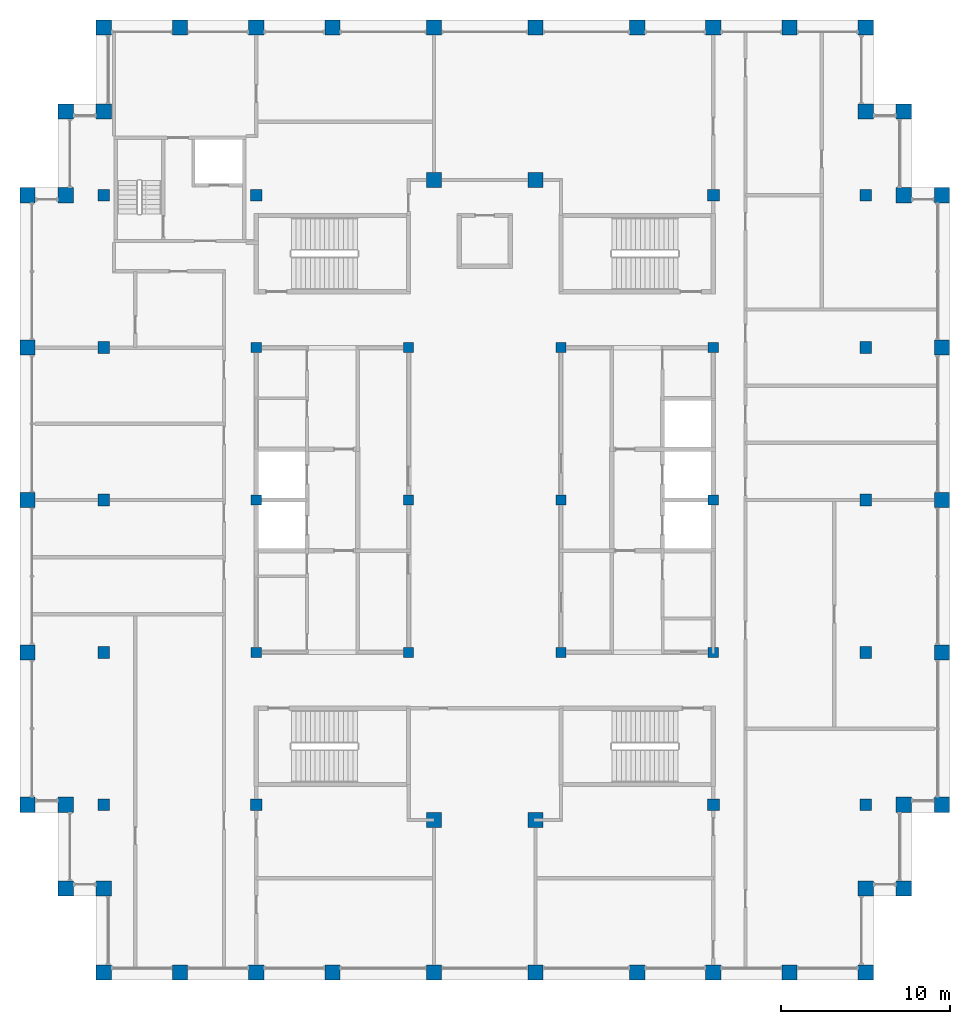
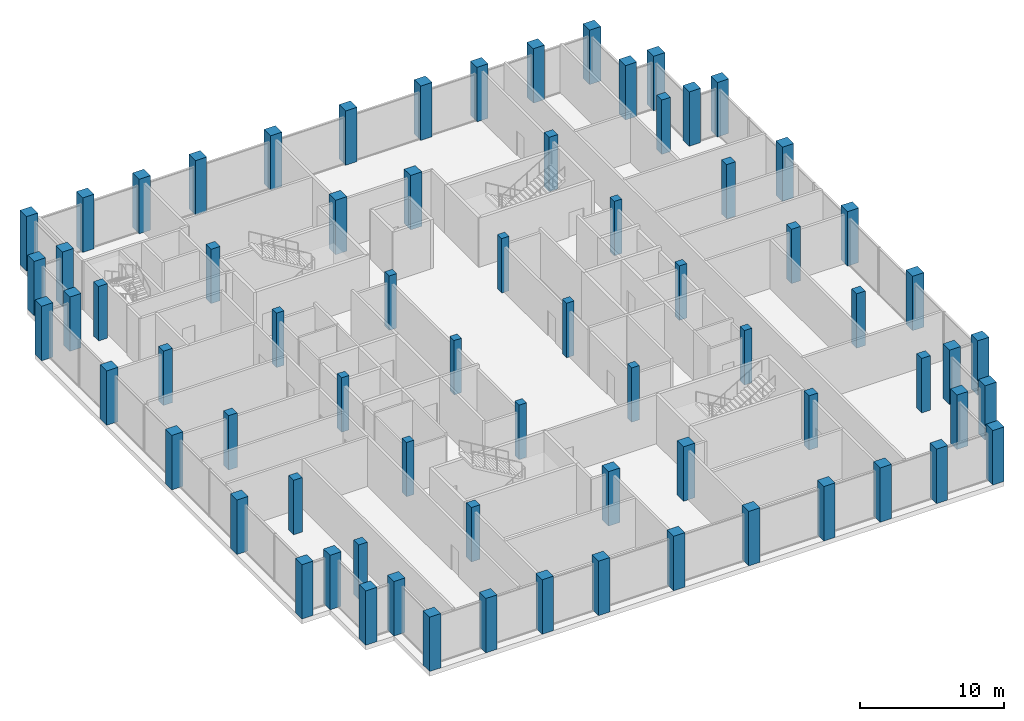
# One storey, part 1 of 12: 72 columns.
"""IFC4 building model written with IfcOpenShell, lengths in metres."""

from ifc_helpers import new_model, si_unit, direction, frame, origin, origin_2d, place, context, subcontext, project, spatial, rectangle, extrude, material, material_profile, profile_set, type_object, element, save


model = new_model("IFC4")

# Units and contexts
model_context = context("Model", 3, precision=1e-05, world=origin(), true_north=direction((0.0, 1.0)))
body_context = subcontext(model_context, "Body", "Model", "MODEL_VIEW")
ifc_project = project(units=[si_unit("LENGTHUNIT", "METRE"), si_unit("AREAUNIT", "SQUARE_METRE"), si_unit("VOLUMEUNIT", "CUBIC_METRE"), si_unit("PLANEANGLEUNIT", "RADIAN"), si_unit("MASSUNIT", "GRAM", prefix="KILO")], contexts=[model_context])

# Site, building, storey
site_placement = place(None, origin())
site = spatial("IfcSite", under=ifc_project, at=site_placement, CompositionType="ELEMENT")
building_placement = place(site_placement, origin())
building = spatial("IfcBuilding", under=site, at=building_placement, Name="Corbelhall Arena Tower", CompositionType="ELEMENT")
storey_placement = place(building_placement, frame((0.0, 0.0, 356.0)))
storey = spatial("IfcBuildingStorey", under=building, at=storey_placement, Name="L78", CompositionType="ELEMENT", Elevation=356.0)

# Columns
ifc_material = material(Name="Concrete C80/95", Category="concrete")
ifc_material_profile_1 = material_profile(ifc_material, rectangle(XDim=0.60009765625, YDim=0.60009765625, at=origin_2d()))
ifc_profile_set_1 = profile_set([ifc_material_profile_1], Name="Concrete C80/95")
column_type_1 = type_object("IfcColumnType", Name="ST-COL-RC 600x600", PredefinedType="COLUMN", material=ifc_profile_set_1)
for number, where, z_axis, x_axis, name in (
    (1, (4.5, 0.0, 0.0), (0.0, 0.0, 1.0), (1.0, 0.0, 0.0), "Column KE+0450+0000"),
    (2, (4.5, 9.0, 0.0), (0.0, 0.0, 1.0), (1.0, 0.0, 0.0), "Column KE+0450+0900"),
    (3, (4.5, -9.0, 0.0), (0.0, 0.0, 1.0), (1.0, 0.0, 0.0), "Column KE+0450-0900"),
    (4, (13.5, 0.0, 0.0), (0.0, 0.0, 1.0), (1.0, 0.0, 0.0), "Column KE+1350+0000"),
    (5, (13.5, 9.0, 0.0), (0.0, 0.0, 1.0), (1.0, 0.0, 0.0), "Column KE+1350+0900"),
    (6, (13.5, -9.0, 0.0), (0.0, 0.0, 1.0), (1.0, 0.0, 0.0), "Column KE+1350-0900"),
    (7, (-4.5, 0.0, 0.0), (0.0, 0.0, 1.0), (1.0, 0.0, 0.0), "Column KW-0450+0000"),
    (8, (-4.5, 9.0, 0.0), (0.0, 0.0, 1.0), (1.0, 0.0, 0.0), "Column KW-0450+0900"),
    (9, (-4.5, -9.0, 0.0), (0.0, 0.0, 1.0), (1.0, 0.0, 0.0), "Column KW-0450-0900"),
    (10, (-13.5, 0.0, 0.0), (0.0, 0.0, 1.0), (1.0, 0.0, 0.0), "Column KW-1350+0000"),
    (11, (-13.5, 9.0, 0.0), (0.0, 0.0, 1.0), (1.0, 0.0, 0.0), "Column KW-1350+0900"),
    (12, (-13.5, -9.0, 0.0), (0.0, 0.0, 1.0), (1.0, 0.0, 0.0), "Column KW-1350-0900"),
):
    element("IfcColumn", number, at=place(storey_placement, frame(where, z_axis=z_axis, x_axis=x_axis)), inside=storey, type_object=column_type_1, Name=name, PredefinedType="COLUMN", context=body_context, shape_type="SweptSolid", body=[
        extrude(rectangle(XDim=0.60009765625, YDim=0.60009765625, at=origin_2d()), origin(), (0.0, 0.0, 1.0), 4.599609375),
    ])
ifc_material_profile_2 = material_profile(ifc_material, rectangle(XDim=0.699951171875, YDim=0.699951171875, at=origin_2d()))
ifc_profile_set_2 = profile_set([ifc_material_profile_2], Name="Concrete C80/95")
column_type_2 = type_object("IfcColumnType", Name="ST-COL-RC 700x700", PredefinedType="COLUMN", material=ifc_profile_set_2)
for number, where, z_axis, x_axis, name in (
    (13, (13.5, 18.0, 0.0), (0.0, 0.0, 1.0), (1.0, 0.0, 0.0), "Column IE13+1800"),
    (14, (13.5, -18.0, 0.0), (0.0, 0.0, 1.0), (1.0, 0.0, 0.0), "Column IE13-1800"),
    (15, (22.5, 0.0, 0.0), (0.0, 0.0, 1.0), (1.0, 0.0, 0.0), "Column IE22+0000"),
    (16, (22.5, 9.0, 0.0), (0.0, 0.0, 1.0), (1.0, 0.0, 0.0), "Column IE22+0900"),
    (17, (22.5, 18.0, 0.0), (0.0, 0.0, 1.0), (1.0, 0.0, 0.0), "Column IE22+1800"),
    (18, (22.5, -9.0, 0.0), (0.0, 0.0, 1.0), (1.0, 0.0, 0.0), "Column IE22-0900"),
    (19, (22.5, -18.0, 0.0), (0.0, 0.0, 1.0), (1.0, 0.0, 0.0), "Column IE22-1800"),
    (20, (-13.5, 18.0, 0.0), (0.0, 0.0, 1.0), (1.0, 0.0, 0.0), "Column IW13+1800"),
    (21, (-13.5, -18.0, 0.0), (0.0, 0.0, 1.0), (1.0, 0.0, 0.0), "Column IW13-1800"),
    (22, (-22.5, 0.0, 0.0), (0.0, 0.0, 1.0), (1.0, 0.0, 0.0), "Column IW22+0000"),
    (23, (-22.5, 9.0, 0.0), (0.0, 0.0, 1.0), (1.0, 0.0, 0.0), "Column IW22+0900"),
    (24, (-22.5, 18.0, 0.0), (0.0, 0.0, 1.0), (1.0, 0.0, 0.0), "Column IW22+1800"),
    (25, (-22.5, -9.0, 0.0), (0.0, 0.0, 1.0), (1.0, 0.0, 0.0), "Column IW22-0900"),
    (26, (-22.5, -18.0, 0.0), (0.0, 0.0, 1.0), (1.0, 0.0, 0.0), "Column IW22-1800"),
):
    element("IfcColumn", number, at=place(storey_placement, frame(where, z_axis=z_axis, x_axis=x_axis)), inside=storey, type_object=column_type_2, Name=name, PredefinedType="COLUMN", context=body_context, shape_type="SweptSolid", body=[
        extrude(rectangle(XDim=0.699951171875, YDim=0.699951171875, at=origin_2d()), origin(), (0.0, 0.0, 1.0), 4.599609375),
    ])
ifc_material_profile_3 = material_profile(ifc_material, rectangle(XDim=0.89990234375, YDim=0.89990234375, at=origin_2d()))
ifc_profile_set_3 = profile_set([ifc_material_profile_3], Name="Concrete C80/95")
column_type_3 = type_object("IfcColumnType", Name="ST-COL-RC 900x900", PredefinedType="COLUMN", material=ifc_profile_set_3)
for number, where, z_axis, x_axis, name in (
    (27, (27.0, 0.0, 0.0), (0.0, 0.0, 1.0), (0.0, 1.0, 0.0), "Column PE+0000"),
    (28, (27.0, 9.0, 0.0), (0.0, 0.0, 1.0), (0.0, 1.0, 0.0), "Column PE+0900"),
    (29, (27.0, 18.0, 0.0), (0.0, 0.0, 1.0), (0.0, 1.0, 0.0), "Column PE+1800"),
    (30, (27.0, -9.0, 0.0), (0.0, 0.0, 1.0), (0.0, 1.0, 0.0), "Column PE-0900"),
    (31, (27.0, -18.0, 0.0), (0.0, 0.0, 1.0), (0.0, 1.0, 0.0), "Column PE-1800"),
    (32, (3.0, 27.89990234375, 0.0), (0.0, 0.0, 1.0), (1.0, 0.0, 0.0), "Column PNE0300"),
    (33, (9.0, 27.89990234375, 0.0), (0.0, 0.0, 1.0), (1.0, 0.0, 0.0), "Column PNE0900"),
    (34, (13.5, 27.89990234375, 0.0), (0.0, 0.0, 1.0), (1.0, 0.0, 0.0), "Column PNE1350"),
    (35, (18.0, 27.89990234375, 0.0), (0.0, 0.0, 1.0), (1.0, 0.0, 0.0), "Column PNE1800"),
    (36, (22.5, 27.89990234375, 0.0), (0.0, 0.0, 1.0), (1.0, 0.0, 0.0), "Column PNE2250"),
    (37, (-3.0, 27.89990234375, 0.0), (0.0, 0.0, 1.0), (1.0, 0.0, 0.0), "Column PNW0300"),
    (38, (-9.0, 27.89990234375, 0.0), (0.0, 0.0, 1.0), (1.0, 0.0, 0.0), "Column PNW0900"),
    (39, (-13.5, 27.89990234375, 0.0), (0.0, 0.0, 1.0), (1.0, 0.0, 0.0), "Column PNW1350"),
    (40, (-18.0, 27.89990234375, 0.0), (0.0, 0.0, 1.0), (1.0, 0.0, 0.0), "Column PNW1800"),
    (41, (-22.5, 27.89990234375, 0.0), (0.0, 0.0, 1.0), (1.0, 0.0, 0.0), "Column PNW2250"),
    (42, (3.0, -27.89990234375, 0.0), (0.0, 0.0, 1.0), (1.0, 0.0, 0.0), "Column PSE0300"),
    (43, (9.0, -27.89990234375, 0.0), (0.0, 0.0, 1.0), (1.0, 0.0, 0.0), "Column PSE0900"),
    (44, (13.5, -27.89990234375, 0.0), (0.0, 0.0, 1.0), (1.0, 0.0, 0.0), "Column PSE1350"),
    (45, (18.0, -27.89990234375, 0.0), (0.0, 0.0, 1.0), (1.0, 0.0, 0.0), "Column PSE1800"),
    (46, (22.5, -27.89990234375, 0.0), (0.0, 0.0, 1.0), (1.0, 0.0, 0.0), "Column PSE2250"),
    (47, (-3.0, -27.89990234375, 0.0), (0.0, 0.0, 1.0), (1.0, 0.0, 0.0), "Column PSW0300"),
    (48, (-9.0, -27.89990234375, 0.0), (0.0, 0.0, 1.0), (1.0, 0.0, 0.0), "Column PSW0900"),
    (49, (-13.5, -27.89990234375, 0.0), (0.0, 0.0, 1.0), (1.0, 0.0, 0.0), "Column PSW1350"),
    (50, (-18.0, -27.89990234375, 0.0), (0.0, 0.0, 1.0), (1.0, 0.0, 0.0), "Column PSW1800"),
    (51, (-22.5, -27.89990234375, 0.0), (0.0, 0.0, 1.0), (1.0, 0.0, 0.0), "Column PSW2250"),
    (52, (-27.0, 0.0, 0.0), (0.0, 0.0, 1.0), (0.0, 1.0, 0.0), "Column PW+0000"),
    (53, (-27.0, 9.0, 0.0), (0.0, 0.0, 1.0), (0.0, 1.0, 0.0), "Column PW+0900"),
    (54, (-27.0, 18.0, 0.0), (0.0, 0.0, 1.0), (0.0, 1.0, 0.0), "Column PW+1800"),
    (55, (-27.0, -9.0, 0.0), (0.0, 0.0, 1.0), (0.0, 1.0, 0.0), "Column PW-0900"),
    (56, (-27.0, -18.0, 0.0), (0.0, 0.0, 1.0), (0.0, 1.0, 0.0), "Column PW-1800"),
    (57, (3.0, 18.89990234375, 0.0), (0.0, 0.0, 1.0), (1.0, 0.0, 0.0), "Column SLNE2"),
    (58, (-3.0, 18.89990234375, 0.0), (0.0, 0.0, 1.0), (1.0, 0.0, 0.0), "Column SLNW2"),
    (59, (3.0, -18.89990234375, 0.0), (0.0, 0.0, 1.0), (1.0, 0.0, 0.0), "Column SLSE2"),
    (60, (-3.0, -18.89990234375, 0.0), (0.0, 0.0, 1.0), (1.0, 0.0, 0.0), "Column SLSW2"),
    (61, (22.5, 22.949951171875, 0.0), (0.0, 0.0, 1.0), (1.0, 0.0, 0.0), "Column XNE1"),
    (62, (24.75, 22.949951171875, 0.0), (0.0, 0.0, 1.0), (1.0, 0.0, 0.0), "Column XNE2"),
    (63, (24.75, 18.0, 0.0), (0.0, 0.0, 1.0), (1.0, 0.0, 0.0), "Column XNE3"),
    (64, (-22.5, 22.949951171875, 0.0), (0.0, 0.0, 1.0), (1.0, 0.0, 0.0), "Column XNW1"),
    (65, (-24.75, 22.949951171875, 0.0), (0.0, 0.0, 1.0), (1.0, 0.0, 0.0), "Column XNW2"),
    (66, (-24.75, 18.0, 0.0), (0.0, 0.0, 1.0), (1.0, 0.0, 0.0), "Column XNW3"),
    (67, (22.5, -22.949951171875, 0.0), (0.0, 0.0, 1.0), (1.0, 0.0, 0.0), "Column XSE1"),
    (68, (24.75, -22.949951171875, 0.0), (0.0, 0.0, 1.0), (1.0, 0.0, 0.0), "Column XSE2"),
    (69, (24.75, -18.0, 0.0), (0.0, 0.0, 1.0), (1.0, 0.0, 0.0), "Column XSE3"),
    (70, (-22.5, -22.949951171875, 0.0), (0.0, 0.0, 1.0), (1.0, 0.0, 0.0), "Column XSW1"),
    (71, (-24.75, -22.949951171875, 0.0), (0.0, 0.0, 1.0), (1.0, 0.0, 0.0), "Column XSW2"),
    (72, (-24.75, -18.0, 0.0), (0.0, 0.0, 1.0), (1.0, 0.0, 0.0), "Column XSW3"),
):
    element("IfcColumn", number, at=place(storey_placement, frame(where, z_axis=z_axis, x_axis=x_axis)), inside=storey, type_object=column_type_3, Name=name, PredefinedType="COLUMN", context=body_context, shape_type="SweptSolid", body=[
        extrude(rectangle(XDim=0.89990234375, YDim=0.89990234375, at=origin_2d()), origin(), (0.0, 0.0, 1.0), 4.599609375),
    ])

save(model, "model.ifc")
